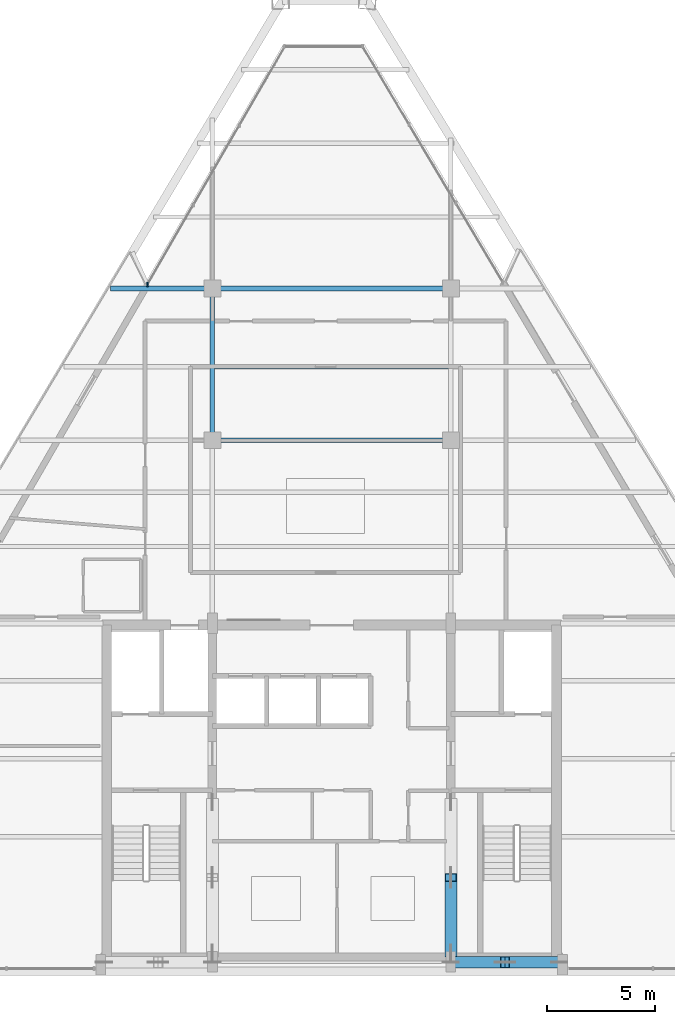
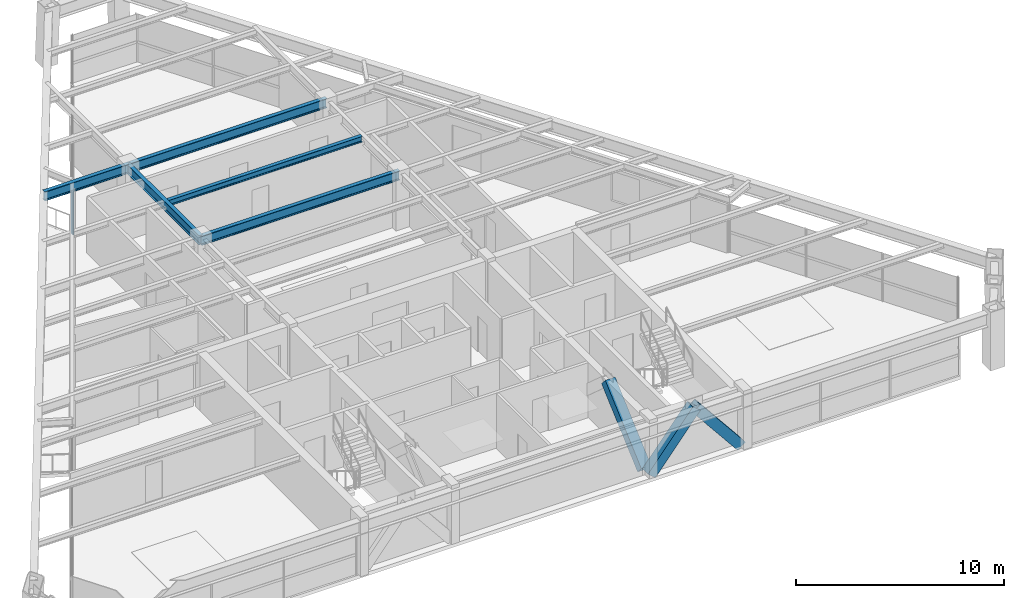
# One storey, part 4 of 13: 5 beams, 5 members, 1 element without a shape of its own.
"""IFC4 building model written with IfcOpenShell, lengths in metres."""

from ifc_helpers import new_model, si_unit, direction, frame, origin, origin_2d, place, context, subcontext, project, spatial, rectangle, hollow_rectangle, i_section, extrude, source, transform, mapped, material, material_profile, profile_set, type_object, type_shapes, element, aggregate, save


model = new_model("IFC4")

# Units and contexts
model_context = context("Model", 3, precision=1e-05, world=origin(), true_north=direction((0.0, 1.0)))
body_context = subcontext(model_context, "Body", "Model", "MODEL_VIEW")
ifc_project = project(units=[si_unit("LENGTHUNIT", "METRE"), si_unit("AREAUNIT", "SQUARE_METRE"), si_unit("VOLUMEUNIT", "CUBIC_METRE"), si_unit("PLANEANGLEUNIT", "RADIAN"), si_unit("MASSUNIT", "GRAM", prefix="KILO")], contexts=[model_context])

# Site, building, storey
site_placement = place(None, origin())
site = spatial("IfcSite", under=ifc_project, at=site_placement, CompositionType="ELEMENT")
building_placement = place(site_placement, origin())
building = spatial("IfcBuilding", under=site, at=building_placement, Name="Varnakhor Terracotta Tower", CompositionType="ELEMENT")
storey_placement = place(building_placement, frame((0.0, 0.0, 273.0)))
storey = spatial("IfcBuildingStorey", under=building, at=storey_placement, Name="L71", CompositionType="ELEMENT", Elevation=273.0)

# Beams
ifc_material_1 = material(Name="Steel S355", Category="steel")
ifc_material_profile_1 = material_profile(ifc_material_1, i_section(OverallWidth=0.214111328125, OverallDepth=0.549072265625, WebThickness=0.014892578125, FlangeThickness=0.02392578125, FilletRadius=0.01806640625, at=origin_2d()), Name="W21X93")
ifc_profile_set_1 = profile_set([ifc_material_profile_1], Name="Steel S355")
beam_type_1 = type_object("IfcBeamType", Name="BM-W21X93", PredefinedType="BEAM", material=ifc_profile_set_1)
shared_shape_1 = source(origin(), body_context, "Body", "SweptSolid", [
    extrude(i_section(OverallWidth=0.214111328125, OverallDepth=0.549072265625, WebThickness=0.014892578125, FlangeThickness=0.02392578125, FilletRadius=0.01806640625, at=origin_2d()), origin(), (0.0, 0.0, 1.0), 7.0),
])
beam_1_placement = place(storey_placement, frame((-5.5, 24.5, 2.965576171875), z_axis=(0.0, 1.0, 0.0), x_axis=(-1.0, 0.0, 0.0)))
element("IfcBeam", 1, at=beam_1_placement, inside=storey, type_object=beam_type_1, Name="L71 Primary Girder NS2-W", PredefinedType="BEAM", context=body_context, shape_type="MappedRepresentation", body=[
    mapped(shared_shape_1, transform((0.0, 0.0, 0.0), scale=1.0)),
])
shared_shape_2 = source(origin(), body_context, "Body", "SweptSolid", [
    extrude(i_section(OverallWidth=0.214111328125, OverallDepth=0.549072265625, WebThickness=0.014892578125, FlangeThickness=0.02392578125, FilletRadius=0.01806640625, at=origin_2d()), origin(), (0.0, 0.0, 1.0), 11.0),
])
for number, where, z_axis, x_axis, name in (
    (2, (-5.5, 24.5, 2.965576171875), (1.0, 0.0, 0.0), (0.0, 1.0, 0.0), "L71 Primary Girder EW2-2"),
    (3, (-5.5, 31.5, 2.965576171875), (1.0, 0.0, 0.0), (0.0, 1.0, 0.0), "L71 Primary Girder EW3-2"),
):
    element("IfcBeam", number, at=place(storey_placement, frame(where, z_axis=z_axis, x_axis=x_axis)), inside=storey, type_object=beam_type_1, Name=name, PredefinedType="BEAM", context=body_context, shape_type="MappedRepresentation", body=[
        mapped(shared_shape_2, transform((0.0, 0.0, 0.0), scale=1.0)),
    ])
ifc_material_profile_2 = material_profile(ifc_material_1, i_section(OverallWidth=0.202880859375, OverallDepth=0.346923828125, WebThickness=0.0078125, FlangeThickness=0.013427734375, FilletRadius=0.01806640625, at=origin_2d()), Name="W14X43")
ifc_profile_set_2 = profile_set([ifc_material_profile_2], Name="Steel S355")
beam_type_2 = type_object("IfcBeamType", Name="JST-W14X43", PredefinedType="JOIST", material=ifc_profile_set_2)
shared_shape_3 = source(origin(), body_context, "Body", "SweptSolid", [
    extrude(i_section(OverallWidth=0.202880859375, OverallDepth=0.346923828125, WebThickness=0.0078125, FlangeThickness=0.013427734375, FilletRadius=0.01806640625, at=origin_2d()), origin(), (0.0, 0.0, 1.0), 10.7939453125),
])
beam_2_placement = place(storey_placement, frame((-5.39697265625, 27.89990234375, 3.06640625), z_axis=(1.0, 0.0, 0.0), x_axis=(0.0, 1.0, 0.0)))
element("IfcBeam", 4, at=beam_2_placement, inside=storey, type_object=beam_type_2, Name="L71 Composite Floor Joist 6-2", PredefinedType="JOIST", context=body_context, shape_type="MappedRepresentation", body=[
    mapped(shared_shape_3, transform((0.0, 0.0, 0.0), scale=1.0)),
])

# Members
ifc_material_profile_3 = material_profile(ifc_material_1, hollow_rectangle(XDim=0.550048828125, YDim=0.550048828125, WallThickness=0.034912109375, at=origin_2d()), Name="HSS550X550X35")
ifc_profile_set_3 = profile_set([ifc_material_profile_3], Name="Steel S355")
member_type_1 = type_object("IfcMemberType", Name="MBR-MEGA-550", PredefinedType="BRACE", material=ifc_profile_set_3)
shared_shape_4 = source(origin(), body_context, "Body", "SweptSolid", [
    extrude(hollow_rectangle(XDim=0.550048828125, YDim=0.550048828125, WallThickness=0.034912109375, at=origin_2d()), origin(), (0.0, 0.0, 1.0), 3.974853515625),
])
for number, where, z_axis, x_axis, name in (
    (5, (5.5, 0.419921875, 0.0), (0.628970263838, 0.0, 0.777429358339), (0.0, 1.0, 0.0), "L71 Core Coupled Brace CSEA"),
    (6, (10.5, 0.419921875, 0.0), (-0.628970263838, 0.0, 0.777429358339), (0.0, -1.0, 0.0), "L71 Core Coupled Brace CSEB"),
):
    element("IfcMember", number, at=place(storey_placement, frame(where, z_axis=z_axis, x_axis=x_axis)), inside=storey, type_object=member_type_1, Name=name, PredefinedType="BRACE", context=body_context, shape_type="MappedRepresentation", body=[
        mapped(shared_shape_4, transform((0.0, 0.0, 0.0), scale=1.0)),
    ])
shared_shape_5 = source(origin(), body_context, "Body", "SweptSolid", [
    extrude(hollow_rectangle(XDim=0.550048828125, YDim=0.550048828125, WallThickness=0.034912109375, at=origin_2d()), origin(), (0.0, 0.0, 1.0), 4.650146484375),
])
member_1_placement = place(storey_placement, frame((5.5, 0.85009765625, 0.0), z_axis=(0.0, 0.74726736397, 0.664523503532), x_axis=(-1.0, 0.0, 0.0)))
element("IfcMember", 7, at=member_1_placement, inside=storey, type_object=member_type_1, Name="L71 Core Coupled Brace CWEA", PredefinedType="BRACE", context=body_context, shape_type="MappedRepresentation", body=[
    mapped(shared_shape_5, transform((0.0, 0.0, 0.0), scale=1.0)),
])

# Beam
shared_shape_6 = source(origin(), body_context, "Body", "SweptSolid", [
    extrude(i_section(OverallWidth=0.214111328125, OverallDepth=0.549072265625, WebThickness=0.014892578125, FlangeThickness=0.02392578125, FilletRadius=0.01806640625, at=origin_2d()), origin(), (0.0, 0.0, 1.0), 4.694091796875),
])
beam_3_placement = place(storey_placement, frame((-10.194091796875, 31.5, 2.965576171875), z_axis=(1.0, 0.0, 0.0), x_axis=(0.0, 1.0, 0.0)))
element("IfcBeam", 8, at=beam_3_placement, inside=storey, type_object=beam_type_1, Name="L71 Primary Girder EW3-1", PredefinedType="BEAM", context=body_context, shape_type="MappedRepresentation", body=[
    mapped(shared_shape_6, transform((0.0, 0.0, 0.0), scale=1.0)),
])

# Curtain wall, members
ifc_material_2 = material(Name="Anodised Aluminium Curtain Wall System", Category="aluminium")
curtain_wall_type = type_object("IfcCurtainWallType", Name="CW-SYS-HOTEL-LOGGIA", PredefinedType="NOTDEFINED", material=ifc_material_2)
curtain_wall_placement = place(storey_placement, origin())
curtain_wall = element("IfcCurtainWall", 9, at=curtain_wall_placement, inside=storey, type_object=curtain_wall_type, Name="L71 W Facet Curtain Wall 2", PredefinedType="NOTDEFINED")
ifc_material_3 = material(Name="Anodised Aluminium 6063-T6", Category="aluminium")
ifc_material_profile_4 = material_profile(ifc_material_3, rectangle(XDim=0.06494140625, YDim=0.159912109375, at=origin_2d()), Name="ALU MULLION 65x160")
ifc_profile_set_4 = profile_set([ifc_material_profile_4], Name="Anodised Aluminium 6063-T6")
member_type_2 = type_object("IfcMemberType", Name="CWM-04", PredefinedType="MULLION", material=ifc_profile_set_4)
shared_shape_7 = source(origin(), body_context, "Body", "SweptSolid", [
    extrude(rectangle(XDim=0.06494140625, YDim=0.159912109375, at=origin_2d()), origin(), (0.0, 0.0, 1.0), 2.820068359375),
])
type_shapes(member_type_2, [shared_shape_7])
member_2_placement = place(storey_placement, frame((-8.493408203125, 31.7001953125, 0.0), z_axis=(0.0, 0.0, 1.0), x_axis=(1.0, 0.0, 0.0)))
member_2 = element("IfcMember", 10, at=member_2_placement, type_object=member_type_2, Name="L71 W Facet Curtain Wall 2 Mullion 1", PredefinedType="MULLION", context=body_context, shape_type="MappedRepresentation", body=[
    mapped(shared_shape_7, transform((0.0, 0.0, 0.0), scale=1.0)),
])
member_3_placement = place(storey_placement, frame((-8.4912109375, 31.664306640625, 0.0), z_axis=(0.0, 0.0, 1.0), x_axis=(1.0, 0.0, 0.0)))
member_3 = element("IfcMember", 11, at=member_3_placement, type_object=member_type_2, Name="L71 W Loggia Jamb Closure Mullion 2", PredefinedType="MULLION", context=body_context, shape_type="MappedRepresentation", body=[
    mapped(shared_shape_7, transform((0.0, 0.0, 0.0), scale=1.0)),
])
aggregate(curtain_wall, [member_2, member_3])

save(model, "model.ifc")
